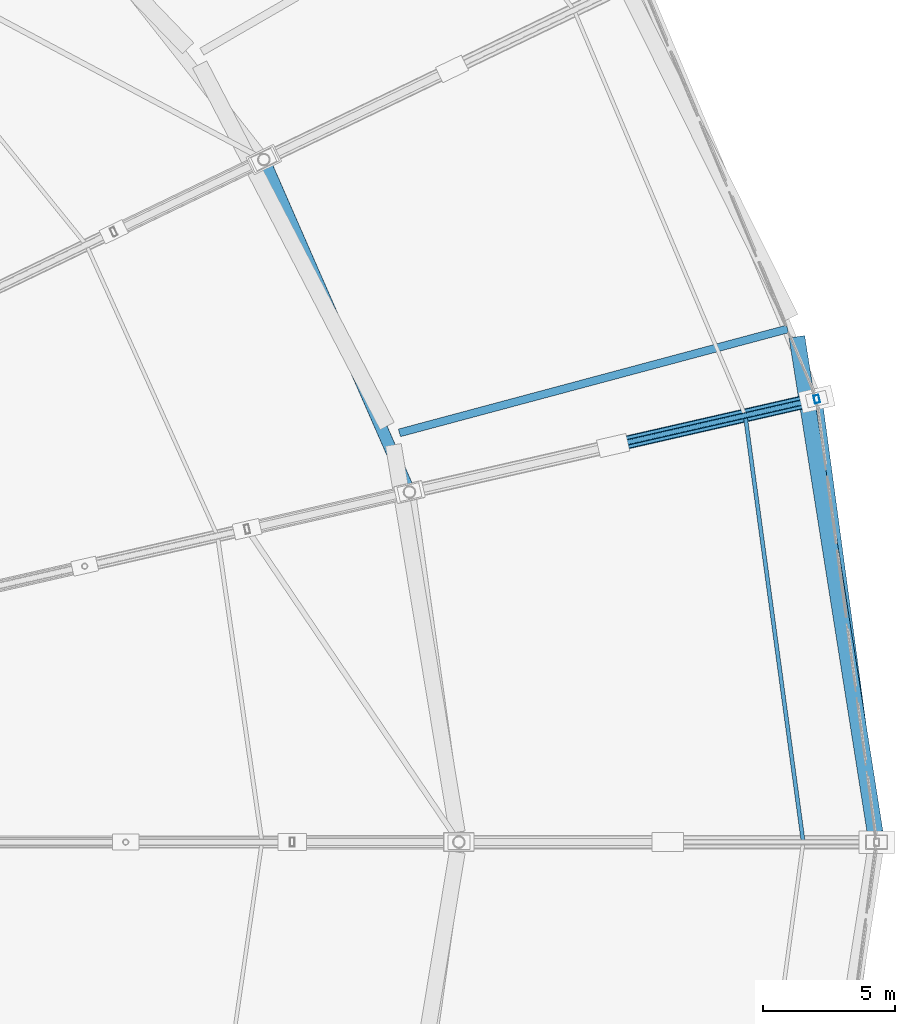
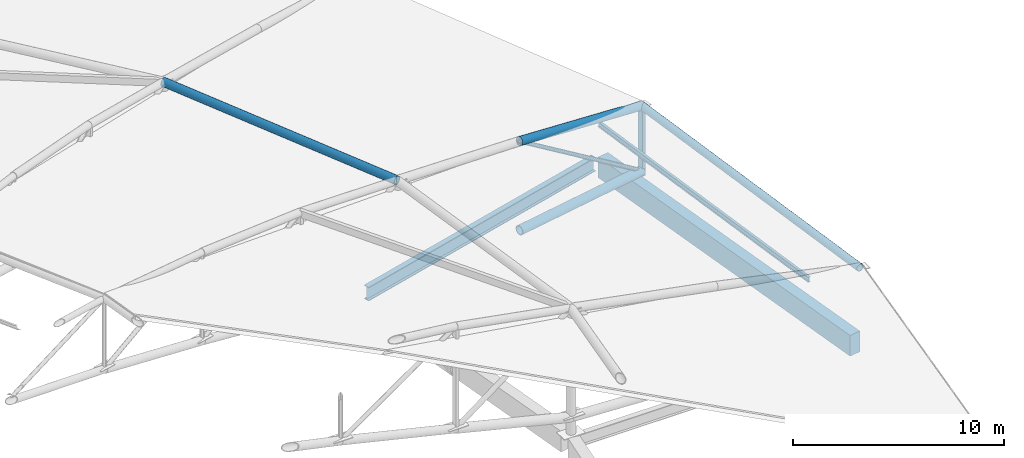
# One storey, part 76 of 108: 7 members, 2 beams.
"""IFC4 building model written with IfcOpenShell, lengths in metres."""

import ifcopenshell
import ifcopenshell.guid

model = None  # the IFC model being written
_history = None  # IfcOwnerHistory: only IFC2X3 demands one
_inside = {}  # id of a spatial element -> (the spatial element, [elements in it])
_under = {}  # id of a project, library or spatial element -> (it, [spatial elements below it])
_declared = {}  # id of a project -> (the project, [libraries it declares])
_typed = {}  # id of a type object -> (the type object, [elements of that type])
_made_of = {}  # id of a material, layer set ... -> (it, [elements and type objects made of it])


def new_model(schema):
    """Start an empty IFC model of exactly this schema.

    Asked for "IFC4X3", IfcOpenShell would pick the latest addendum, in which some entities
    have other attributes; the version numbers below select the first issue.
    IFC2X3 requires an IfcOwnerHistory on every rooted entity: one is made here for all.
    """
    global model, _history
    if schema == "IFC4X3":
        model = ifcopenshell.file(schema_version=(4, 3, 0, 0))
    else:
        model = ifcopenshell.file(schema=schema)
    _inside.clear()
    _under.clear()
    _declared.clear()
    _typed.clear()
    _made_of.clear()
    _history = None
    if model.schema == "IFC2X3":
        org = make("IfcOrganization", Name="unknown")
        user = make(
            "IfcPersonAndOrganization",
            ThePerson=make("IfcPerson", FamilyName="unknown"),
            TheOrganization=org,
        )
        app = make(
            "IfcApplication",
            ApplicationDeveloper=org,
            Version="unknown",
            ApplicationFullName="unknown",
            ApplicationIdentifier="unknown",
        )
        _history = make(
            "IfcOwnerHistory",
            OwningUser=user,
            OwningApplication=app,
            ChangeAction="ADDED",
            CreationDate=0,
        )
    return model


def make(cls, **values):
    """One entity of the class cls with the attributes given. An attribute that is None is left unset."""
    return model.create_entity(
        cls, **{name: value for name, value in values.items() if value is not None}
    )


def rooted(cls, **values):
    """An entity with a GlobalId (a new one), such as an element, a storey or a relation."""
    return make(cls, GlobalId=ifcopenshell.guid.new(), OwnerHistory=_history, **values)


def si_unit(unit_type, name, prefix=None):
    """IfcSIUnit, for example si_unit("LENGTHUNIT", "METRE", prefix="MILLI")."""
    return make("IfcSIUnit", UnitType=unit_type, Prefix=prefix, Name=name)


def assignment(units):
    """IfcUnitAssignment: the units of a project."""
    return None if units is None else make("IfcUnitAssignment", Units=units)


def point(xyz):
    """IfcCartesianPoint."""
    return None if xyz is None else make("IfcCartesianPoint", Coordinates=xyz)


def direction(xyz):
    """IfcDirection."""
    return None if xyz is None else make("IfcDirection", DirectionRatios=xyz)


def frame(location, z_axis=None, x_axis=None):
    """IfcAxis2Placement3D, a coordinate frame: its origin and axes. An axis left out is left unset."""
    return make(
        "IfcAxis2Placement3D",
        Location=point(location),
        Axis=direction(z_axis),
        RefDirection=direction(x_axis),
    )


def frame_2d(location, x_axis=None):
    """IfcAxis2Placement2D, a coordinate frame in the plane: its origin and x axis."""
    return make(
        "IfcAxis2Placement2D", Location=point(location), RefDirection=direction(x_axis)
    )


def origin():
    """The frame at (0, 0, 0) with its axes left unset."""
    return frame((0.0, 0.0, 0.0))


def origin_2d():
    """The frame at (0, 0) in the plane with its x axis left unset."""
    return frame_2d((0.0, 0.0))


def place(relative_to, where):
    """IfcLocalPlacement: puts the frame where relative to a parent placement (None: the world)."""
    return make(
        "IfcLocalPlacement", PlacementRelTo=relative_to, RelativePlacement=where
    )


def context(
    kind, dimensions, precision=None, world=None, true_north=None, identifier=None
):
    """IfcGeometricRepresentationContext, for example the 3D "Model" context."""
    return make(
        "IfcGeometricRepresentationContext",
        ContextIdentifier=identifier,
        ContextType=kind,
        CoordinateSpaceDimension=dimensions,
        Precision=precision,
        WorldCoordinateSystem=world,
        TrueNorth=true_north,
    )


def subcontext(parent, identifier, kind, view, scale=None):
    """IfcGeometricRepresentationSubContext, for example "Body" below "Model"."""
    return make(
        "IfcGeometricRepresentationSubContext",
        ContextIdentifier=identifier,
        ContextType=kind,
        ParentContext=parent,
        TargetScale=scale,
        TargetView=view,
    )


def project(units=None, contexts=None):
    """IfcProject with its units and contexts."""
    return rooted(
        "IfcProject",
        Name="project",
        RepresentationContexts=contexts,
        UnitsInContext=assignment(units),
    )


def spatial(cls, under=None, at=None, **own):
    """A site, building, storey or space (cls), placed at a placement, below another one or the project."""
    s = rooted(cls, ObjectPlacement=at, **own)
    if under is not None:
        _under.setdefault(under.id(), (under, []))[1].append(s)
    return s


def profile(cls, at=None, kind="AREA", **sizes):
    """A parametric profile (cls). Its sizes go by their IFC names, for example OverallWidth=200.0."""
    return make(cls, ProfileType=kind, Position=at, **sizes)


def rectangle(**sizes):
    """IfcRectangleProfileDef."""
    return profile("IfcRectangleProfileDef", **sizes)


def hollow_rectangle(**sizes):
    """IfcRectangleHollowProfileDef."""
    return profile("IfcRectangleHollowProfileDef", **sizes)


def hollow_circle(**sizes):
    """IfcCircleHollowProfileDef."""
    return profile("IfcCircleHollowProfileDef", **sizes)


def i_section(**sizes):
    """IfcIShapeProfileDef."""
    return profile("IfcIShapeProfileDef", **sizes)


def extrude(swept, where, along, depth):
    """IfcExtrudedAreaSolid: the profile swept, set in the frame where, extruded along a direction by depth."""
    return make(
        "IfcExtrudedAreaSolid",
        SweptArea=swept,
        Position=where,
        ExtrudedDirection=direction(along),
        Depth=depth,
    )


def shape(context_of_items, identifier, shape_type, items):
    """IfcShapeRepresentation: the items that make up one representation, for example the "Body"."""
    return make(
        "IfcShapeRepresentation",
        ContextOfItems=context_of_items,
        RepresentationIdentifier=identifier,
        RepresentationType=shape_type,
        Items=items,
    )


def material(Name=None, Category=None):
    """IfcMaterial."""
    return make("IfcMaterial", Name=Name, Category=Category)


def material_profile(
    of_material, cross_section, Name=None, Category=None, Priority=None
):
    """IfcMaterialProfile: a cross section and its material."""
    return make(
        "IfcMaterialProfile",
        Name=Name,
        Material=of_material,
        Profile=cross_section,
        Priority=Priority,
        Category=Category,
    )


def profile_set(profiles, Name=None, composite=None):
    """IfcMaterialProfileSet."""
    return make(
        "IfcMaterialProfileSet",
        Name=Name,
        MaterialProfiles=profiles,
        CompositeProfile=composite,
    )


def made_of(thing, what):
    """Note that an element or type object is made of a material, layer set ...; save() writes the relation."""
    if what is not None:
        _made_of.setdefault(what.id(), (what, []))[1].append(thing)
    return thing


def type_object(cls, material=None, **own):
    """A type object (cls), such as IfcWallType, which elements share."""
    return made_of(rooted(cls, **own), material)


def element(
    cls,
    number,
    at=None,
    inside=None,
    cuts=None,
    type_object=None,
    material=None,
    context=None,
    identifier="Body",
    shape_type=None,
    held_by="IfcProductDefinitionShape",
    body=None,
    shapes=None,
    **own,
):
    """One element of the class cls, such as IfcWall. Its Tag is "e" and its number.

    at: its placement. inside: the storey or other place that contains it. cuts: it is an
    opening in that element (IfcRelVoidsElement). A single representation is given by context,
    identifier, shape_type and body (its items); several are given by shapes. held_by: the class
    of the entity that holds the representations. save() writes the other relations.
    """
    e = rooted(cls, Tag="e%d" % number, ObjectPlacement=at, **own)
    if body is not None:
        shapes = [shape(context, identifier, shape_type, body)]
    if shapes is not None:
        e.Representation = make(held_by, Representations=shapes)
    if inside is not None:
        _inside.setdefault(inside.id(), (inside, []))[1].append(e)
    if cuts is not None:
        rooted(
            "IfcRelVoidsElement", RelatingBuildingElement=cuts, RelatedOpeningElement=e
        )
    if type_object is not None:
        _typed.setdefault(type_object.id(), (type_object, []))[1].append(e)
    return made_of(e, material)


def aggregate(whole, parts):
    """IfcRelAggregates: a whole, such as a stair, and the parts it consists of."""
    return rooted("IfcRelAggregates", RelatingObject=whole, RelatedObjects=parts)


def save(model, path):
    """Write the relations noted so far, then the file.

    IfcRelAggregates (storeys below a building ...), IfcRelContainedInSpatialStructure (elements
    in a storey), IfcRelDefinesByType, IfcRelAssociatesMaterial and IfcRelDeclares: one each for
    every whole, place, type object, material and project.
    """
    for whole, parts in _under.values():
        aggregate(whole, parts)
    for where, things in _inside.values():
        rooted(
            "IfcRelContainedInSpatialStructure",
            RelatedElements=things,
            RelatingStructure=where,
        )
    for kind, things in _typed.values():
        rooted("IfcRelDefinesByType", RelatedObjects=things, RelatingType=kind)
    for what, things in _made_of.values():
        rooted("IfcRelAssociatesMaterial", RelatedObjects=things, RelatingMaterial=what)
    for by, libraries in _declared.values():
        rooted("IfcRelDeclares", RelatingContext=by, RelatedDefinitions=libraries)
    model.write(path)


model = new_model("IFC4")

# Units and contexts
model_context = context("Model", 3, precision=1e-05, world=origin(), true_north=direction((0.0, 1.0)))
body_context = subcontext(model_context, "Body", "Model", "MODEL_VIEW")
ifc_project = project(units=[si_unit("LENGTHUNIT", "METRE"), si_unit("AREAUNIT", "SQUARE_METRE"), si_unit("VOLUMEUNIT", "CUBIC_METRE"), si_unit("PLANEANGLEUNIT", "RADIAN"), si_unit("MASSUNIT", "GRAM", prefix="KILO")], contexts=[model_context])

# Site, building, storey
site_placement = place(None, origin())
site = spatial("IfcSite", under=ifc_project, at=site_placement, CompositionType="ELEMENT")
building_placement = place(site_placement, origin())
building = spatial("IfcBuilding", under=site, at=building_placement, Name="Zevraka Park Crest Stadium", CompositionType="ELEMENT")
storey_placement = place(building_placement, frame((0.0, 0.0, 29.39990234375)))
storey = spatial("IfcBuildingStorey", under=building, at=storey_placement, Name="RF", CompositionType="ELEMENT", Elevation=29.39990234375)

# Beam
ifc_material_1 = material(Name="Steel S355", Category="steel")
ifc_material_profile_1 = material_profile(ifc_material_1, i_section(OverallWidth=0.300048828125, OverallDepth=0.800048828125, WebThickness=0.017578125, FlangeThickness=0.032958984375, at=origin_2d()), Name="HEB 800")
ifc_profile_set_1 = profile_set([ifc_material_profile_1], Name="Steel S355")
beam_type_1 = type_object("IfcBeamType", Name="BG10", PredefinedType="BEAM", material=ifc_profile_set_1)
beam_1_placement = place(storey_placement, frame((184.2509765625, 107.47802734375, -0.534912109375), z_axis=(0.965945614181, 0.25874518439, 0.0), x_axis=(-0.25874518439, 0.965945614181, 0.0)))
element("IfcBeam", 1, at=beam_1_placement, inside=storey, type_object=beam_type_1, Name="Radial Girder BG10 RF-BD-01", PredefinedType="BEAM", context=body_context, shape_type="SweptSolid", body=[
    extrude(i_section(OverallWidth=0.300048828125, OverallDepth=0.800048828125, WebThickness=0.017578125, FlangeThickness=0.032958984375, at=origin_2d()), origin(), (0.0, 0.0, 1.0), 15.19970703125),
])

# Member
ifc_material_2 = material(Name="Steel S355", Category="steel")
ifc_material_profile_2 = material_profile(ifc_material_2, i_section(OverallWidth=0.14990234375, OverallDepth=0.300048828125, WebThickness=0.007080078125, FlangeThickness=0.0107421875, at=origin_2d()), Name="IPE 300")
ifc_profile_set_2 = profile_set([ifc_material_profile_2], Name="Steel S355")
member_type_1 = type_object("IfcMemberType", Name="PR02", PredefinedType="PURLIN", material=ifc_profile_set_2)
member_1_placement = place(storey_placement, frame((199.52392578125, 92.0, 4.287109375), z_axis=(-0.134704466965, 0.990885819144, 0.0), x_axis=(-0.990885819144, -0.134704466965, 0.0)))
element("IfcMember", 2, at=member_1_placement, inside=storey, type_object=member_type_1, Name="Canopy Roof Purlin PR02 OUTER-01-1", PredefinedType="PURLIN", context=body_context, shape_type="SweptSolid", body=[
    extrude(i_section(OverallWidth=0.14990234375, OverallDepth=0.300048828125, WebThickness=0.007080078125, FlangeThickness=0.0107421875, at=origin_2d()), origin(), (0.0, 0.0, 1.0), 16.286376953125),
])

# Beam
ifc_material_3 = material(Name="Concrete C40/50", Category="concrete")
ifc_material_profile_3 = material_profile(ifc_material_3, rectangle(XDim=0.60009765625, YDim=1.199951171875, at=origin_2d()), Name="RC 1200x600")
ifc_profile_set_3 = profile_set([ifc_material_profile_3], Name="Concrete C40/50")
beam_type_2 = type_object("IfcBeamType", Name="RB01", PredefinedType="BEAM", material=ifc_profile_set_3)
beam_2_placement = place(storey_placement, frame((202.240966796875, 92.375, -0.599853515625), z_axis=(-0.155972486086, 0.987761400129, 0.0), x_axis=(-0.987761400129, -0.155972486086, 0.0)))
element("IfcBeam", 3, at=beam_2_placement, inside=storey, type_object=beam_type_2, Name="Ring Beam RB01 RF-D-00", PredefinedType="BEAM", context=body_context, shape_type="SweptSolid", body=[
    extrude(rectangle(XDim=0.60009765625, YDim=1.199951171875, at=origin_2d()), origin(), (0.0, 0.0, 1.0), 18.97119140625),
])

# Members
ifc_material_4 = material(Name="Steel S355", Category="steel")
ifc_material_profile_4 = material_profile(ifc_material_4, hollow_circle(Radius=0.25390625, WallThickness=0.030029296875, at=origin_2d()), Name="CHS 508.0x30")
ifc_profile_set_4 = profile_set([ifc_material_profile_4], Name="Steel S355")
member_type_2 = type_object("IfcMemberType", Name="TC01", PredefinedType="CHORD", material=ifc_profile_set_4)
member_2_placement = place(storey_placement, frame((200.035888671875, 108.756103515625, 0.25), z_axis=(-0.974221443169, -0.222378312114, 0.037953471127), x_axis=(0.222538649551, -0.974923868544, 0.0)))
element("IfcMember", 4, at=member_2_placement, inside=storey, type_object=member_type_2, Name="Roof Truss Bottom Chord TC01 T02-1", PredefinedType="CHORD", context=body_context, shape_type="SweptSolid", body=[
    extrude(hollow_circle(Radius=0.25390625, WallThickness=0.030029296875, at=origin_2d()), origin(), (0.0, 0.0, 1.0), 7.90576171875),
])
ifc_material_5 = material(Name="Steel S355", Category="steel")
ifc_material_profile_5 = material_profile(ifc_material_5, hollow_circle(Radius=0.228515625, WallThickness=0.02490234375, at=origin_2d()), Name="CHS 457.0x25")
ifc_profile_set_5 = profile_set([ifc_material_profile_5], Name="Steel S355")
member_type_3 = type_object("IfcMemberType", Name="TC02", PredefinedType="CHORD", material=ifc_profile_set_5)
member_3_placement = place(storey_placement, frame((200.035888671875, 108.756103515625, 4.0), z_axis=(-0.953101185452, -0.217557347337, 0.210397079136), x_axis=(0.222538649551, -0.974923868544, 0.0)))
element("IfcMember", 5, at=member_3_placement, inside=storey, type_object=member_type_3, Name="Roof Truss Top Chord TC02 T02-1", PredefinedType="CHORD", context=body_context, shape_type="SweptSolid", body=[
    extrude(hollow_circle(Radius=0.228515625, WallThickness=0.02490234375, at=origin_2d()), origin(), (0.0, 0.0, 1.0), 8.080810546875),
])
member_4_placement = place(storey_placement, frame((184.632080078125, 105.239990234375, 7.2001953125), z_axis=(-0.401310361538, 0.915942134484, 0.0), x_axis=(-0.915942134484, -0.401310361538, 0.0)))
element("IfcMember", 6, at=member_4_placement, inside=storey, type_object=member_type_3, Name="Roof Main Bowl-Rim Ring Chord TC02 02", PredefinedType="CHORD", context=body_context, shape_type="SweptSolid", body=[
    extrude(hollow_circle(Radius=0.228515625, WallThickness=0.02490234375, at=origin_2d()), origin(), (0.0, 0.0, 1.0), 13.72998046875),
])
ifc_material_6 = material(Name="Steel S355", Category="steel")
ifc_material_profile_6 = material_profile(ifc_material_6, hollow_circle(Radius=0.203125, WallThickness=0.02001953125, at=origin_2d()), Name="CHS 406.4x20")
ifc_profile_set_6 = profile_set([ifc_material_profile_6], Name="Steel S355")
member_type_4 = type_object("IfcMemberType", Name="TC03", PredefinedType="CHORD", material=ifc_profile_set_6)
member_5_placement = place(storey_placement, frame((202.300048828125, 92.0, 4.0), z_axis=(-0.133907548369, 0.990993828684, 0.0), x_axis=(-0.990993828684, -0.133907548369, 0.0)))
element("IfcMember", 7, at=member_5_placement, inside=storey, type_object=member_type_4, Name="Roof Outer Canopy Ring Chord TC03 01", PredefinedType="CHORD", context=body_context, shape_type="SweptSolid", body=[
    extrude(hollow_circle(Radius=0.203125, WallThickness=0.02001953125, at=origin_2d()), origin(), (0.0, 0.0, 1.0), 16.908447265625),
])
ifc_material_7 = material(Name="Steel S355", Category="steel")
ifc_material_profile_7 = material_profile(ifc_material_7, hollow_circle(Radius=0.109619140625, WallThickness=0.010009765625, at=origin_2d()), Name="CHS 219.1x10")
ifc_profile_set_7 = profile_set([ifc_material_profile_7], Name="Steel S355")
member_type_5 = type_object("IfcMemberType", Name="WB02", PredefinedType="BRACE", material=ifc_profile_set_7)
member_6_placement = place(storey_placement, frame((200.035888671875, 108.756103515625, 0.25), z_axis=(-0.802478850294, -0.183175902652, 0.56786819203), x_axis=(0.222538649551, -0.974923868544, 0.0)))
element("IfcMember", 8, at=member_6_placement, inside=storey, type_object=member_type_5, Name="Roof Truss Web Diagonal WB02 T02-1", PredefinedType="BRACE", context=body_context, shape_type="SweptSolid", body=[
    extrude(hollow_circle(Radius=0.109619140625, WallThickness=0.010009765625, at=origin_2d()), origin(), (0.0, 0.0, 1.0), 9.59765625),
])
ifc_material_8 = material(Name="Steel S355", Category="steel")
ifc_material_profile_8 = material_profile(ifc_material_8, hollow_rectangle(XDim=0.199951171875, YDim=0.300048828125, WallThickness=0.012451171875, at=origin_2d()), Name="RHS 300x200x12.5")
ifc_profile_set_8 = profile_set([ifc_material_profile_8], Name="Steel S355")
member_type_6 = type_object("IfcMemberType", Name="WB03", PredefinedType="BRACE", material=ifc_profile_set_8)
member_7_placement = place(storey_placement, frame((200.035888671875, 108.756103515625, 0.0), z_axis=(0.0, 0.0, 1.0), x_axis=(0.974916814618, 0.222569549971, 0.0)))
element("IfcMember", 9, at=member_7_placement, inside=storey, type_object=member_type_6, Name="Roof Truss Anchor Strut WB03 T02-0", PredefinedType="BRACE", context=body_context, shape_type="SweptSolid", body=[
    extrude(hollow_rectangle(XDim=0.199951171875, YDim=0.300048828125, WallThickness=0.012451171875, at=origin_2d()), origin(), (0.0, 0.0, 1.0), 4.0),
])

save(model, "model.ifc")
